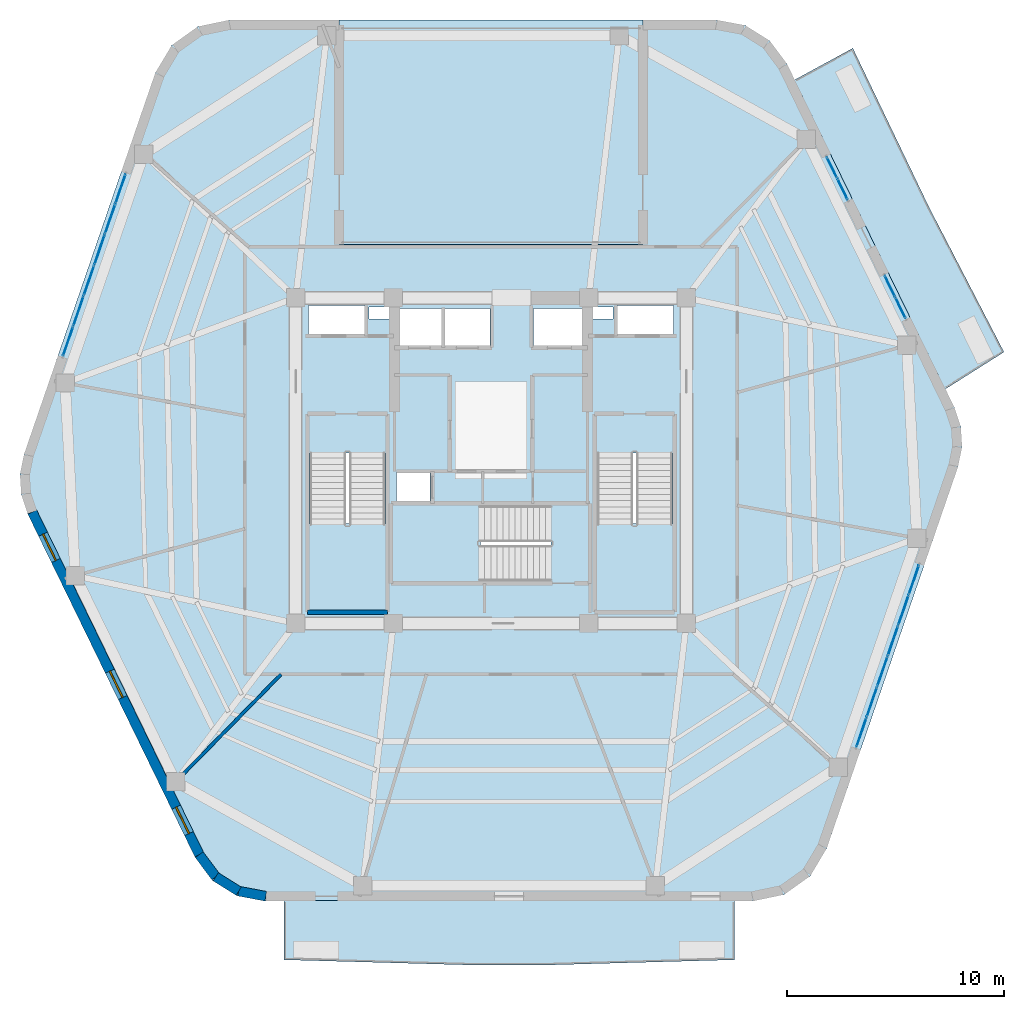
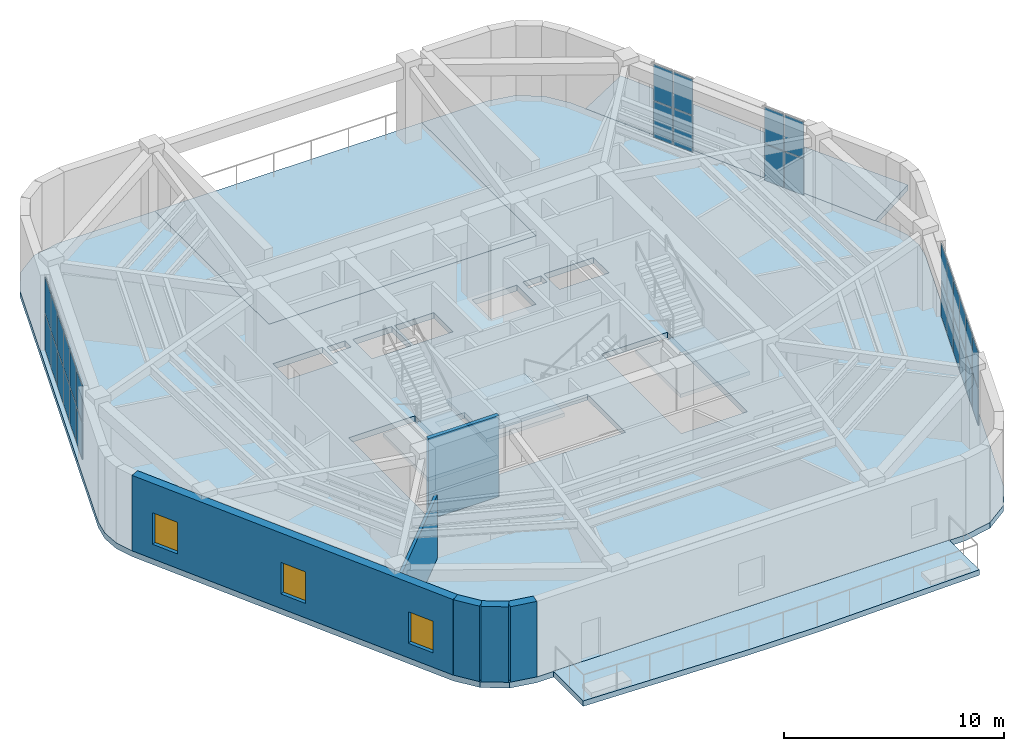
# One storey, part 10 of 15: 32 plates, 7 slabs, 6 walls, 3 windows, 3 openings, 7 elements without a shape of their own.
"""IFC4 building model written with IfcOpenShell, lengths in metres."""

from ifc_helpers import new_model, si_unit, direction, frame, frame_2d, origin, origin_2d, place, context, subcontext, project, spatial, polyline, rectangle, outline, extrude, material, layer, layer_set, type_object, element, fill, aggregate, save


model = new_model("IFC4")

# Units and contexts
model_context = context("Model", 3, precision=1e-05, world=origin(), true_north=direction((0.0, 1.0)))
body_context = subcontext(model_context, "Body", "Model", "MODEL_VIEW")
ifc_project = project(units=[si_unit("LENGTHUNIT", "METRE"), si_unit("AREAUNIT", "SQUARE_METRE"), si_unit("VOLUMEUNIT", "CUBIC_METRE"), si_unit("PLANEANGLEUNIT", "RADIAN"), si_unit("MASSUNIT", "GRAM", prefix="KILO")], contexts=[model_context])

# Site, building, storey
site_placement = place(None, origin())
site = spatial("IfcSite", under=ifc_project, at=site_placement, CompositionType="ELEMENT")
building_placement = place(site_placement, origin())
building = spatial("IfcBuilding", under=site, at=building_placement, Name="Kilnhurst Terrace Hotel", CompositionType="ELEMENT")
storey_placement = place(building_placement, frame((0.0, 0.0, 288.60009765625)))
storey = spatial("IfcBuildingStorey", under=building, at=storey_placement, Name="L72", CompositionType="ELEMENT", Elevation=288.60009765625)

# Curtain wall, plates
ifc_material_1 = material(Name="Anodized Aluminium Alloy 6063-T6 and Low-E Glass", Category="aluminium")
ifc_layer_1 = layer(ifc_material_1, 0.219970703125, Name="Anodized Aluminium Alloy 6063-T6 and Low-E Glass")
ifc_layer_set_1 = layer_set([ifc_layer_1], Name="Anodized Aluminium Alloy 6063-T6 and Low-E Glass")
curtain_wall_type = type_object("IfcCurtainWallType", Name="CW-PORTAL-L72", PredefinedType="NOTDEFINED", material=ifc_layer_set_1)
curtain_wall_1_placement = place(storey_placement, origin())
curtain_wall_1 = element("IfcCurtainWall", 1, at=curtain_wall_1_placement, inside=storey, type_object=curtain_wall_type, Name="L72 Curtain Wall CW-L72-F2-1", PredefinedType="NOTDEFINED")
ifc_material_2 = material(Name="Triple Laminated Low-E Hurricane Insulated Glass", Category="glass")
ifc_layer_2 = layer(ifc_material_2, 0.0380859375, Name="Triple Laminated Low-E Hurricane Insulated Glass")
ifc_layer_set_2 = layer_set([ifc_layer_2], Name="Triple Laminated Low-E Hurricane Insulated Glass")
plate_type = type_object("IfcPlateType", Name="PNL-GLZ-38", PredefinedType="CURTAIN_PANEL", material=ifc_layer_set_2)
plate_1_placement = place(storey_placement, frame((17.06884765625, -12.521240234375, 0.06494140625), z_axis=(0.0, 0.0, 1.0), x_axis=(0.325396556387, 0.945577644137, 0.0)))
plate_1 = element("IfcPlate", 2, at=plate_1_placement, type_object=plate_type, Name="CWP-5 panel 1.1", PredefinedType="CURTAIN_PANEL", context=body_context, shape_type="SweptSolid", body=[
    extrude(rectangle(XDim=1.394775390625, YDim=0.0380859375, at=origin_2d()), origin(), (0.0, 0.0, 1.0), 1.992431640625),
])
plate_2_placement = place(storey_placement, frame((17.06884765625, -12.521240234375, 2.12255859375), z_axis=(0.0, 0.0, 1.0), x_axis=(0.325396556387, 0.945577644137, 0.0)))
plate_2 = element("IfcPlate", 3, at=plate_2_placement, type_object=plate_type, Name="CWP-5 panel 1.2", PredefinedType="CURTAIN_PANEL", context=body_context, shape_type="SweptSolid", body=[
    extrude(rectangle(XDim=1.394775390625, YDim=0.0380859375, at=origin_2d()), origin(), (0.0, 0.0, 1.0), 1.992431640625),
])
plate_3_placement = place(storey_placement, frame((17.54931640625, -11.12548828125, 0.06494140625), z_axis=(0.0, 0.0, 1.0), x_axis=(0.325396556387, 0.945577644137, 0.0)))
plate_3 = element("IfcPlate", 4, at=plate_3_placement, type_object=plate_type, Name="CWP-5 panel 2.1", PredefinedType="CURTAIN_PANEL", context=body_context, shape_type="SweptSolid", body=[
    extrude(rectangle(XDim=1.42724609375, YDim=0.0380859375, at=origin_2d()), origin(), (0.0, 0.0, 1.0), 1.992431640625),
])
plate_4_placement = place(storey_placement, frame((17.54931640625, -11.12548828125, 2.12255859375), z_axis=(0.0, 0.0, 1.0), x_axis=(0.325396556387, 0.945577644137, 0.0)))
plate_4 = element("IfcPlate", 5, at=plate_4_placement, type_object=plate_type, Name="CWP-5 panel 2.2", PredefinedType="CURTAIN_PANEL", context=body_context, shape_type="SweptSolid", body=[
    extrude(rectangle(XDim=1.42724609375, YDim=0.0380859375, at=origin_2d()), origin(), (0.0, 0.0, 1.0), 1.992431640625),
])
plate_5_placement = place(storey_placement, frame((18.034912109375, -9.71435546875, 0.06494140625), z_axis=(0.0, 0.0, 1.0), x_axis=(0.325396556387, 0.945577644137, 0.0)))
plate_5 = element("IfcPlate", 6, at=plate_5_placement, type_object=plate_type, Name="CWP-5 panel 3.1", PredefinedType="CURTAIN_PANEL", context=body_context, shape_type="SweptSolid", body=[
    extrude(rectangle(XDim=1.42724609375, YDim=0.0380859375, at=origin_2d()), origin(), (0.0, 0.0, 1.0), 1.992431640625),
])
plate_6_placement = place(storey_placement, frame((18.034912109375, -9.71435546875, 2.12255859375), z_axis=(0.0, 0.0, 1.0), x_axis=(0.325396556387, 0.945577644137, 0.0)))
plate_6 = element("IfcPlate", 7, at=plate_6_placement, type_object=plate_type, Name="CWP-5 panel 3.2", PredefinedType="CURTAIN_PANEL", context=body_context, shape_type="SweptSolid", body=[
    extrude(rectangle(XDim=1.42724609375, YDim=0.0380859375, at=origin_2d()), origin(), (0.0, 0.0, 1.0), 1.992431640625),
])
plate_7_placement = place(storey_placement, frame((18.5205078125, -8.30322265625, 0.06494140625), z_axis=(0.0, 0.0, 1.0), x_axis=(0.325396556387, 0.945577644137, 0.0)))
plate_7 = element("IfcPlate", 8, at=plate_7_placement, type_object=plate_type, Name="CWP-5 panel 4.1", PredefinedType="CURTAIN_PANEL", context=body_context, shape_type="SweptSolid", body=[
    extrude(rectangle(XDim=1.42724609375, YDim=0.0380859375, at=origin_2d()), origin(), (0.0, 0.0, 1.0), 1.992431640625),
])
plate_8_placement = place(storey_placement, frame((18.5205078125, -8.30322265625, 2.12255859375), z_axis=(0.0, 0.0, 1.0), x_axis=(0.325396556387, 0.945577644137, 0.0)))
plate_8 = element("IfcPlate", 9, at=plate_8_placement, type_object=plate_type, Name="CWP-5 panel 4.2", PredefinedType="CURTAIN_PANEL", context=body_context, shape_type="SweptSolid", body=[
    extrude(rectangle(XDim=1.42724609375, YDim=0.0380859375, at=origin_2d()), origin(), (0.0, 0.0, 1.0), 1.992431640625),
])
plate_9_placement = place(storey_placement, frame((19.006103515625, -6.89208984375, 0.06494140625), z_axis=(0.0, 0.0, 1.0), x_axis=(0.325396556387, 0.945577644137, 0.0)))
plate_9 = element("IfcPlate", 10, at=plate_9_placement, type_object=plate_type, Name="CWP-5 panel 5.1", PredefinedType="CURTAIN_PANEL", context=body_context, shape_type="SweptSolid", body=[
    extrude(rectangle(XDim=1.42724609375, YDim=0.0380859375, at=origin_2d()), origin(), (0.0, 0.0, 1.0), 1.992431640625),
])
plate_10_placement = place(storey_placement, frame((19.006103515625, -6.89208984375, 2.12255859375), z_axis=(0.0, 0.0, 1.0), x_axis=(0.325396556387, 0.945577644137, 0.0)))
plate_10 = element("IfcPlate", 11, at=plate_10_placement, type_object=plate_type, Name="CWP-5 panel 5.2", PredefinedType="CURTAIN_PANEL", context=body_context, shape_type="SweptSolid", body=[
    extrude(rectangle(XDim=1.42724609375, YDim=0.0380859375, at=origin_2d()), origin(), (0.0, 0.0, 1.0), 1.992431640625),
])
plate_11_placement = place(storey_placement, frame((19.486328125, -5.496337890625, 0.06494140625), z_axis=(0.0, 0.0, 1.0), x_axis=(0.325396556387, 0.945577644137, 0.0)))
plate_11 = element("IfcPlate", 12, at=plate_11_placement, type_object=plate_type, Name="CWP-5 panel 6.1", PredefinedType="CURTAIN_PANEL", context=body_context, shape_type="SweptSolid", body=[
    extrude(rectangle(XDim=1.394775390625, YDim=0.0380859375, at=origin_2d()), origin(), (0.0, 0.0, 1.0), 1.992431640625),
])
plate_12_placement = place(storey_placement, frame((19.486328125, -5.496337890625, 2.12255859375), z_axis=(0.0, 0.0, 1.0), x_axis=(0.325396556387, 0.945577644137, 0.0)))
plate_12 = element("IfcPlate", 13, at=plate_12_placement, type_object=plate_type, Name="CWP-5 panel 6.2", PredefinedType="CURTAIN_PANEL", context=body_context, shape_type="SweptSolid", body=[
    extrude(rectangle(XDim=1.394775390625, YDim=0.0380859375, at=origin_2d()), origin(), (0.0, 0.0, 1.0), 1.992431640625),
])
aggregate(curtain_wall_1, [plate_1, plate_2, plate_3, plate_4, plate_5, plate_6, plate_7, plate_8, plate_9, plate_10, plate_11, plate_12])

curtain_wall_2_placement = place(storey_placement, origin())
curtain_wall_2 = element("IfcCurtainWall", 14, at=curtain_wall_2_placement, inside=storey, type_object=curtain_wall_type, Name="L72 Curtain Wall CW-L72-F3-1", PredefinedType="NOTDEFINED")
plate_13_placement = place(storey_placement, frame((18.864013671875, 7.037353515625, 0.06494140625), z_axis=(0.0, 0.0, 1.0), x_axis=(-0.438120294595, 0.898916351762, 0.0)))
plate_13 = element("IfcPlate", 15, at=plate_13_placement, type_object=plate_type, Name="CWP-5 panel 1.1", PredefinedType="CURTAIN_PANEL", context=body_context, shape_type="SweptSolid", body=[
    extrude(rectangle(XDim=1.04248046875, YDim=0.0380859375, at=origin_2d()), origin(), (0.0, 0.0, 1.0), 1.992431640625),
])
plate_14_placement = place(storey_placement, frame((18.864013671875, 7.037353515625, 2.12255859375), z_axis=(0.0, 0.0, 1.0), x_axis=(-0.438120294595, 0.898916351762, 0.0)))
plate_14 = element("IfcPlate", 16, at=plate_14_placement, type_object=plate_type, Name="CWP-5 panel 1.2", PredefinedType="CURTAIN_PANEL", context=body_context, shape_type="SweptSolid", body=[
    extrude(rectangle(XDim=1.04248046875, YDim=0.0380859375, at=origin_2d()), origin(), (0.0, 0.0, 1.0), 1.992431640625),
])
plate_15_placement = place(storey_placement, frame((18.378662109375, 8.03271484375, 0.06494140625), z_axis=(0.0, 0.0, 1.0), x_axis=(-0.438120294595, 0.898916351762, 0.0)))
plate_15 = element("IfcPlate", 17, at=plate_15_placement, type_object=plate_type, Name="CWP-5 panel 2.1", PredefinedType="CURTAIN_PANEL", context=body_context, shape_type="SweptSolid", body=[
    extrude(rectangle(XDim=1.04248046875, YDim=0.0380859375, at=origin_2d()), origin(), (0.0, 0.0, 1.0), 1.992431640625),
])
plate_16_placement = place(storey_placement, frame((18.378662109375, 8.03271484375, 2.12255859375), z_axis=(0.0, 0.0, 1.0), x_axis=(-0.438120294595, 0.898916351762, 0.0)))
plate_16 = element("IfcPlate", 18, at=plate_16_placement, type_object=plate_type, Name="CWP-5 panel 2.2", PredefinedType="CURTAIN_PANEL", context=body_context, shape_type="SweptSolid", body=[
    extrude(rectangle(XDim=1.04248046875, YDim=0.0380859375, at=origin_2d()), origin(), (0.0, 0.0, 1.0), 1.992431640625),
])
aggregate(curtain_wall_2, [plate_13, plate_14, plate_15, plate_16])

curtain_wall_3_placement = place(storey_placement, origin())
curtain_wall_3 = element("IfcCurtainWall", 19, at=curtain_wall_3_placement, inside=storey, type_object=curtain_wall_type, Name="L72 Curtain Wall CW-L72-F3-2", PredefinedType="NOTDEFINED")
plate_17_placement = place(storey_placement, frame((16.199951171875, 12.5029296875, 0.06494140625), z_axis=(0.0, 0.0, 1.0), x_axis=(-0.43814202846, 0.898905758629, 0.0)))
plate_17 = element("IfcPlate", 20, at=plate_17_placement, type_object=plate_type, Name="CWP-5 panel 1.1", PredefinedType="CURTAIN_PANEL", context=body_context, shape_type="SweptSolid", body=[
    extrude(rectangle(XDim=1.04296875, YDim=0.0380859375, at=origin_2d()), origin(), (0.0, 0.0, 1.0), 1.992431640625),
])
plate_18_placement = place(storey_placement, frame((16.199951171875, 12.5029296875, 2.12255859375), z_axis=(0.0, 0.0, 1.0), x_axis=(-0.43814202846, 0.898905758629, 0.0)))
plate_18 = element("IfcPlate", 21, at=plate_18_placement, type_object=plate_type, Name="CWP-5 panel 1.2", PredefinedType="CURTAIN_PANEL", context=body_context, shape_type="SweptSolid", body=[
    extrude(rectangle(XDim=1.04296875, YDim=0.0380859375, at=origin_2d()), origin(), (0.0, 0.0, 1.0), 1.992431640625),
])
plate_19_placement = place(storey_placement, frame((15.714599609375, 13.498779296875, 0.06494140625), z_axis=(0.0, 0.0, 1.0), x_axis=(-0.43814202846, 0.898905758629, 0.0)))
plate_19 = element("IfcPlate", 22, at=plate_19_placement, type_object=plate_type, Name="CWP-5 panel 2.1", PredefinedType="CURTAIN_PANEL", context=body_context, shape_type="SweptSolid", body=[
    extrude(rectangle(XDim=1.04296875, YDim=0.0380859375, at=origin_2d()), origin(), (0.0, 0.0, 1.0), 1.992431640625),
])
plate_20_placement = place(storey_placement, frame((15.714599609375, 13.498779296875, 2.12255859375), z_axis=(0.0, 0.0, 1.0), x_axis=(-0.43814202846, 0.898905758629, 0.0)))
plate_20 = element("IfcPlate", 23, at=plate_20_placement, type_object=plate_type, Name="CWP-5 panel 2.2", PredefinedType="CURTAIN_PANEL", context=body_context, shape_type="SweptSolid", body=[
    extrude(rectangle(XDim=1.04296875, YDim=0.0380859375, at=origin_2d()), origin(), (0.0, 0.0, 1.0), 1.992431640625),
])
aggregate(curtain_wall_3, [plate_17, plate_18, plate_19, plate_20])

curtain_wall_4_placement = place(storey_placement, origin())
curtain_wall_4 = element("IfcCurtainWall", 24, at=curtain_wall_4_placement, inside=storey, type_object=curtain_wall_type, Name="L72 Curtain Wall CW-L72-F5-1", PredefinedType="NOTDEFINED")
plate_21_placement = place(storey_placement, frame((-17.06884765625, 12.521240234375, 0.06494140625), z_axis=(0.0, 0.0, 1.0), x_axis=(-0.325396556387, -0.945577644137, 0.0)))
plate_21 = element("IfcPlate", 25, at=plate_21_placement, type_object=plate_type, Name="CWP-5 panel 1.1", PredefinedType="CURTAIN_PANEL", context=body_context, shape_type="SweptSolid", body=[
    extrude(rectangle(XDim=1.394775390625, YDim=0.0380859375, at=origin_2d()), origin(), (0.0, 0.0, 1.0), 1.992431640625),
])
plate_22_placement = place(storey_placement, frame((-17.06884765625, 12.521240234375, 2.12255859375), z_axis=(0.0, 0.0, 1.0), x_axis=(-0.325396556387, -0.945577644137, 0.0)))
plate_22 = element("IfcPlate", 26, at=plate_22_placement, type_object=plate_type, Name="CWP-5 panel 1.2", PredefinedType="CURTAIN_PANEL", context=body_context, shape_type="SweptSolid", body=[
    extrude(rectangle(XDim=1.394775390625, YDim=0.0380859375, at=origin_2d()), origin(), (0.0, 0.0, 1.0), 1.992431640625),
])
plate_23_placement = place(storey_placement, frame((-17.54931640625, 11.12548828125, 0.06494140625), z_axis=(0.0, 0.0, 1.0), x_axis=(-0.325396556387, -0.945577644137, 0.0)))
plate_23 = element("IfcPlate", 27, at=plate_23_placement, type_object=plate_type, Name="CWP-5 panel 2.1", PredefinedType="CURTAIN_PANEL", context=body_context, shape_type="SweptSolid", body=[
    extrude(rectangle(XDim=1.42724609375, YDim=0.0380859375, at=origin_2d()), origin(), (0.0, 0.0, 1.0), 1.992431640625),
])
plate_24_placement = place(storey_placement, frame((-17.54931640625, 11.12548828125, 2.12255859375), z_axis=(0.0, 0.0, 1.0), x_axis=(-0.325396556387, -0.945577644137, 0.0)))
plate_24 = element("IfcPlate", 28, at=plate_24_placement, type_object=plate_type, Name="CWP-5 panel 2.2", PredefinedType="CURTAIN_PANEL", context=body_context, shape_type="SweptSolid", body=[
    extrude(rectangle(XDim=1.42724609375, YDim=0.0380859375, at=origin_2d()), origin(), (0.0, 0.0, 1.0), 1.992431640625),
])
plate_25_placement = place(storey_placement, frame((-18.034912109375, 9.71435546875, 0.06494140625), z_axis=(0.0, 0.0, 1.0), x_axis=(-0.325396556387, -0.945577644137, 0.0)))
plate_25 = element("IfcPlate", 29, at=plate_25_placement, type_object=plate_type, Name="CWP-5 panel 3.1", PredefinedType="CURTAIN_PANEL", context=body_context, shape_type="SweptSolid", body=[
    extrude(rectangle(XDim=1.42724609375, YDim=0.0380859375, at=origin_2d()), origin(), (0.0, 0.0, 1.0), 1.992431640625),
])
plate_26_placement = place(storey_placement, frame((-18.034912109375, 9.71435546875, 2.12255859375), z_axis=(0.0, 0.0, 1.0), x_axis=(-0.325396556387, -0.945577644137, 0.0)))
plate_26 = element("IfcPlate", 30, at=plate_26_placement, type_object=plate_type, Name="CWP-5 panel 3.2", PredefinedType="CURTAIN_PANEL", context=body_context, shape_type="SweptSolid", body=[
    extrude(rectangle(XDim=1.42724609375, YDim=0.0380859375, at=origin_2d()), origin(), (0.0, 0.0, 1.0), 1.992431640625),
])
plate_27_placement = place(storey_placement, frame((-18.5205078125, 8.30322265625, 0.06494140625), z_axis=(0.0, 0.0, 1.0), x_axis=(-0.325396556387, -0.945577644137, 0.0)))
plate_27 = element("IfcPlate", 31, at=plate_27_placement, type_object=plate_type, Name="CWP-5 panel 4.1", PredefinedType="CURTAIN_PANEL", context=body_context, shape_type="SweptSolid", body=[
    extrude(rectangle(XDim=1.42724609375, YDim=0.0380859375, at=origin_2d()), origin(), (0.0, 0.0, 1.0), 1.992431640625),
])
plate_28_placement = place(storey_placement, frame((-18.5205078125, 8.30322265625, 2.12255859375), z_axis=(0.0, 0.0, 1.0), x_axis=(-0.325396556387, -0.945577644137, 0.0)))
plate_28 = element("IfcPlate", 32, at=plate_28_placement, type_object=plate_type, Name="CWP-5 panel 4.2", PredefinedType="CURTAIN_PANEL", context=body_context, shape_type="SweptSolid", body=[
    extrude(rectangle(XDim=1.42724609375, YDim=0.0380859375, at=origin_2d()), origin(), (0.0, 0.0, 1.0), 1.992431640625),
])
plate_29_placement = place(storey_placement, frame((-19.006103515625, 6.89208984375, 0.06494140625), z_axis=(0.0, 0.0, 1.0), x_axis=(-0.325396556387, -0.945577644137, 0.0)))
plate_29 = element("IfcPlate", 33, at=plate_29_placement, type_object=plate_type, Name="CWP-5 panel 5.1", PredefinedType="CURTAIN_PANEL", context=body_context, shape_type="SweptSolid", body=[
    extrude(rectangle(XDim=1.42724609375, YDim=0.0380859375, at=origin_2d()), origin(), (0.0, 0.0, 1.0), 1.992431640625),
])
plate_30_placement = place(storey_placement, frame((-19.006103515625, 6.89208984375, 2.12255859375), z_axis=(0.0, 0.0, 1.0), x_axis=(-0.325396556387, -0.945577644137, 0.0)))
plate_30 = element("IfcPlate", 34, at=plate_30_placement, type_object=plate_type, Name="CWP-5 panel 5.2", PredefinedType="CURTAIN_PANEL", context=body_context, shape_type="SweptSolid", body=[
    extrude(rectangle(XDim=1.42724609375, YDim=0.0380859375, at=origin_2d()), origin(), (0.0, 0.0, 1.0), 1.992431640625),
])
plate_31_placement = place(storey_placement, frame((-19.486328125, 5.496337890625, 0.06494140625), z_axis=(0.0, 0.0, 1.0), x_axis=(-0.325396556387, -0.945577644137, 0.0)))
plate_31 = element("IfcPlate", 35, at=plate_31_placement, type_object=plate_type, Name="CWP-5 panel 6.1", PredefinedType="CURTAIN_PANEL", context=body_context, shape_type="SweptSolid", body=[
    extrude(rectangle(XDim=1.394775390625, YDim=0.0380859375, at=origin_2d()), origin(), (0.0, 0.0, 1.0), 1.992431640625),
])
plate_32_placement = place(storey_placement, frame((-19.486328125, 5.496337890625, 2.12255859375), z_axis=(0.0, 0.0, 1.0), x_axis=(-0.325396556387, -0.945577644137, 0.0)))
plate_32 = element("IfcPlate", 36, at=plate_32_placement, type_object=plate_type, Name="CWP-5 panel 6.2", PredefinedType="CURTAIN_PANEL", context=body_context, shape_type="SweptSolid", body=[
    extrude(rectangle(XDim=1.394775390625, YDim=0.0380859375, at=origin_2d()), origin(), (0.0, 0.0, 1.0), 1.992431640625),
])
aggregate(curtain_wall_4, [plate_21, plate_22, plate_23, plate_24, plate_25, plate_26, plate_27, plate_28, plate_29, plate_30, plate_31, plate_32])

# Slabs
ifc_material_3 = material(Name="Concrete C50/60", Category="concrete")
ifc_layer_3 = layer(ifc_material_3, 0.300048828125, Name="Concrete C50/60")
ifc_layer_set_3 = layer_set([ifc_layer_3], Name="Concrete C50/60")
slab_type_1 = type_object("IfcSlabType", Name="SLB-BAL-300", PredefinedType="FLOOR", material=ifc_layer_set_3)
slab_1_placement = place(storey_placement, frame((0.0, 0.0, -0.300048828125)))
element("IfcSlab", 37, at=slab_1_placement, inside=storey, type_object=slab_type_1, Name="L72 Cantilevered Planted Terrace Slab BAL-L1A", PredefinedType="FLOOR", context=body_context, shape_type="SweptSolid", body=[
    extrude(outline(polyline([(2.62060546875, -23.239990234375), (-0.958984375, -23.239990234375), (-9.5498046875, -23.0), (-9.5498046875, -20.280029296875), (11.211669921875, -20.280029296875), (11.211669921875, -23.0), (2.62060546875, -23.239990234375)])), origin(), (0.0, 0.0, 1.0), 0.300048828125),
])
slab_2_placement = place(storey_placement, frame((0.0, 0.0, -0.300048828125)))
element("IfcSlab", 38, at=slab_2_placement, inside=storey, type_object=slab_type_1, Name="L72 Cantilevered Planted Terrace Slab BAL-L2A", PredefinedType="FLOOR", context=body_context, shape_type="SweptSolid", body=[
    extrude(outline(polyline([(23.635498046875, 5.0), (20.920166015625, 3.28662109375), (13.9755859375, 17.534912109375), (16.669189453125, 19.0), (20.17919921875, 11.6767578125), (23.635498046875, 5.0)])), origin(), (0.0, 0.0, 1.0), 0.300048828125),
])
ifc_layer_4 = layer(ifc_material_3, 0.320068359375, Name="Concrete C50/60")
ifc_layer_set_4 = layer_set([ifc_layer_4], Name="Concrete C50/60")
slab_type_2 = type_object("IfcSlabType", Name="SLB-FLR-320", PredefinedType="FLOOR", material=ifc_layer_set_4)
slab_3_placement = place(storey_placement, frame((0.0, 0.0, -0.320068359375)))
element("IfcSlab", 39, at=slab_3_placement, inside=storey, type_object=slab_type_2, Name="L72 Indoor Floor Slab Around Wind Portal", PredefinedType="FLOOR", context=body_context, shape_type="SweptSolid", body=[
    extrude(outline(polyline([(10.39990234375, 20.300048828125), (11.709716796875, 20.05322265625), (12.840087890625, 19.3466796875), (13.635986328125, 18.27734375), (21.34716796875, 2.4560546875), (21.64501953125, 1.565185546875), (21.7021484375, 0.627685546875), (21.51513671875, -0.29248046875), (15.4658203125, -17.871337890625), (14.708984375, -19.139404296875), (13.5068359375, -19.9970703125), (12.061767578125, -20.300048828125), (-10.39990234375, -20.300048828125), (-11.709716796875, -20.05322265625), (-12.840087890625, -19.3466796875), (-13.635986328125, -18.27734375), (-21.34716796875, -2.4560546875), (-21.64501953125, -1.565185546875), (-21.7021484375, -0.627685546875), (-21.51513671875, 0.29248046875), (-15.4658203125, 17.871337890625), (-14.708984375, 19.139404296875), (-13.5068359375, 19.9970703125), (-12.061767578125, 20.300048828125), (-7.0, 20.300048828125), (-7.0, 9.949951171875), (7.0, 9.949951171875), (7.0, 20.300048828125), (10.39990234375, 20.300048828125)]), holes=[polyline([(-4.8798828125, 0.35498046875), (-4.8798828125, -6.89990234375), (-8.35009765625, -6.89990234375), (-8.35009765625, 0.35498046875), (-4.8798828125, 0.35498046875)]), polyline([(-4.35009765625, -1.89990234375), (-4.35009765625, -0.550048828125), (-2.800048828125, -0.550048828125), (-2.800048828125, -1.89990234375), (-4.35009765625, -1.89990234375)]), polyline([(-4.300048828125, 5.25), (-4.300048828125, 7.0), (-2.25, 7.0), (-2.25, 5.25), (-4.300048828125, 5.25)]), polyline([(-2.1201171875, 7.0), (-0.050048828125, 7.0), (-0.050048828125, 5.25), (-2.1201171875, 5.25), (-2.1201171875, 7.0)]), polyline([(-8.39990234375, 7.14990234375), (-5.800048828125, 7.14990234375), (-5.800048828125, 5.75), (-8.39990234375, 5.75), (-8.39990234375, 7.14990234375)]), polyline([(-5.6201171875, 6.52001953125), (-5.6201171875, 7.080078125), (-4.659912109375, 7.080078125), (-4.659912109375, 6.52001953125), (-5.6201171875, 6.52001953125)]), polyline([(-4.5, -5.550048828125), (-4.5, -2.080078125), (2.7548828125, -2.080078125), (2.7548828125, -5.550048828125), (-4.5, -5.550048828125)]), polyline([(8.35009765625, -6.89990234375), (4.8798828125, -6.89990234375), (4.8798828125, 0.35498046875), (8.35009765625, 0.35498046875), (8.35009765625, -6.89990234375)]), polyline([(1.949951171875, 5.25), (1.949951171875, 7.0), (4.300048828125, 7.0), (4.300048828125, 5.25), (1.949951171875, 5.25)]), polyline([(5.800048828125, 7.14990234375), (8.39990234375, 7.14990234375), (8.39990234375, 5.75), (5.800048828125, 5.75), (5.800048828125, 7.14990234375)]), polyline([(4.659912109375, 7.080078125), (5.6201171875, 7.080078125), (5.6201171875, 6.52001953125), (4.659912109375, 6.52001953125), (4.659912109375, 7.080078125)])]), origin(), (0.0, 0.0, 1.0), 0.320068359375),
])

# Stair, slab
stair_type = type_object("IfcStairType", Name="STR-CORE-1660", PredefinedType="HALF_TURN_STAIR", material=ifc_material_3)
stair_1_placement = place(storey_placement, origin())
stair_1 = element("IfcStair", 40, at=stair_1_placement, inside=storey, type_object=stair_type, Name="L72 ST-1", PredefinedType="HALF_TURN_STAIR")
ifc_layer_5 = layer(ifc_material_3, 0.199951171875, Name="Concrete C50/60")
ifc_layer_set_5 = layer_set([ifc_layer_5], Name="Concrete C50/60")
slab_type_3 = type_object("IfcSlabType", Name="SLB-ST-LND-200", PredefinedType="LANDING", material=ifc_layer_set_5)
slab_4_placement = place(storey_placement, frame((0.0, 0.0, 2.0498046875)))
slab_4 = element("IfcSlab", 41, at=slab_4_placement, type_object=slab_type_3, Name="ST-1 landing 1", PredefinedType="LANDING", context=body_context, shape_type="SweptSolid", body=[
    extrude(outline(polyline([(-8.429931640625, -2.889892578125), (-4.800048828125, -2.889892578125), (-4.800048828125, -6.97998046875), (-8.429931640625, -6.97998046875), (-8.429931640625, -2.889892578125)])), origin(), (0.0, 0.0, 1.0), 0.2001953125),
])
aggregate(stair_1, [slab_4])

stair_2_placement = place(storey_placement, origin())
stair_2 = element("IfcStair", 42, at=stair_2_placement, inside=storey, type_object=stair_type, Name="L72 ST-2", PredefinedType="HALF_TURN_STAIR")
slab_5_placement = place(storey_placement, frame((0.0, 0.0, 2.0498046875)))
slab_5 = element("IfcSlab", 43, at=slab_5_placement, type_object=slab_type_3, Name="ST-2 landing 1", PredefinedType="LANDING", context=body_context, shape_type="SweptSolid", body=[
    extrude(outline(polyline([(4.800048828125, -2.889892578125), (8.429931640625, -2.889892578125), (8.429931640625, -6.97998046875), (4.800048828125, -6.97998046875), (4.800048828125, -2.889892578125)])), origin(), (0.0, 0.0, 1.0), 0.2001953125),
])
aggregate(stair_2, [slab_5])

stair_3_placement = place(storey_placement, origin())
stair_3 = element("IfcStair", 44, at=stair_3_placement, inside=storey, type_object=stair_type, Name="L72 ST-3", PredefinedType="HALF_TURN_STAIR")
slab_6_placement = place(storey_placement, frame((0.0, 0.0, 2.0498046875)))
slab_6 = element("IfcSlab", 45, at=slab_6_placement, type_object=slab_type_3, Name="ST-3 landing 1", PredefinedType="LANDING", context=body_context, shape_type="SweptSolid", body=[
    extrude(outline(polyline([(-0.489990234375, -2.0), (-0.489990234375, -5.6298828125), (-4.580078125, -5.6298828125), (-4.580078125, -2.0), (-0.489990234375, -2.0)])), origin(), (0.0, 0.0, 1.0), 0.2001953125),
])
aggregate(stair_3, [slab_6])

# Slab
ifc_layer_6 = layer(ifc_material_3, 0.320068359375, Name="Concrete C50/60")
ifc_layer_set_6 = layer_set([ifc_layer_6], Name="Concrete C50/60")
slab_type_4 = type_object("IfcSlabType", Name="SLB-TERR-320", PredefinedType="FLOOR", material=ifc_layer_set_6)
slab_7_placement = place(storey_placement, frame((0.0, 0.0, -0.320068359375)))
element("IfcSlab", 46, at=slab_7_placement, inside=storey, type_object=slab_type_4, Name="L72 Open Aerodynamic Wind Portal Promenade Deck", PredefinedType="FLOOR", context=body_context, shape_type="SweptSolid", body=[
    extrude(outline(polyline([(7.0, 20.300048828125), (7.0, 9.949951171875), (-7.0, 9.949951171875), (-7.0, 20.300048828125), (7.0, 20.300048828125)])), origin(), (0.0, 0.0, 1.0), 0.320068359375),
])

# Walls
ifc_material_4 = material(Name="Precast concrete C40/50", Category="concrete")
ifc_layer_7 = layer(ifc_material_4, 0.449951171875, Name="Precast concrete C40/50")
ifc_layer_set_7 = layer_set([ifc_layer_7], Name="Precast concrete C40/50")
wall_type_1 = type_object("IfcWallType", Name="WL-BRK-450", PredefinedType="SOLIDWALL", material=ifc_layer_set_7)
wall_1_placement = place(storey_placement, frame((-13.44287109375, -18.159912109375, 0.0), z_axis=(0.0, 0.0, 1.0), x_axis=(0.597042425808, -0.802209661987, 0.0)))
element("IfcWall", 47, at=wall_1_placement, inside=storey, type_object=wall_type_1, Name="L72 Rounded Corner Brick Wall C1.1", PredefinedType="SOLIDWALL", context=body_context, shape_type="SweptSolid", body=[
    extrude(rectangle(XDim=1.269775390625, YDim=0.449951171875, at=frame_2d((0.634765625, 0.0))), origin(), (0.0, 0.0, 1.0), 4.179931640625),
])
wall_2_placement = place(storey_placement, frame((-12.684814453125, -19.178466796875, 0.0), z_axis=(0.0, 0.0, 1.0), x_axis=(0.848031272749, -0.529946186362, 0.0)))
element("IfcWall", 48, at=wall_2_placement, inside=storey, type_object=wall_type_1, Name="L72 Rounded Corner Brick Wall C1.2", PredefinedType="SOLIDWALL", context=body_context, shape_type="SweptSolid", body=[
    extrude(rectangle(XDim=1.248046875, YDim=0.449951171875, at=frame_2d((0.6240234375, 0.0))), origin(), (0.0, 0.0, 1.0), 4.179931640625),
])
wall_3_placement = place(storey_placement, frame((-11.62646484375, -19.83984375, 0.0), z_axis=(0.0, 0.0, 1.0), x_axis=(0.982701956681, -0.185194126083, 0.0)))
element("IfcWall", 49, at=wall_3_placement, inside=storey, type_object=wall_type_1, Name="L72 Rounded Corner Brick Wall C1.3", PredefinedType="SOLIDWALL", context=body_context, shape_type="SweptSolid", body=[
    extrude(rectangle(XDim=1.26953125, YDim=0.449951171875, at=frame_2d((0.634765625, 0.0))), origin(), (0.0, 0.0, 1.0), 4.179931640625),
])

# Wall, openings, windows
wall_4_placement = place(storey_placement, frame((-21.138427734375, -2.370849609375, 0.0), z_axis=(0.0, 0.0, 1.0), x_axis=(0.438128124058, -0.89891253574, 0.0)))
wall_4 = element("IfcWall", 50, at=wall_4_placement, inside=storey, type_object=wall_type_1, Name="L72 Exterior Brick Facade Wall F6", PredefinedType="SOLIDWALL", context=body_context, shape_type="SweptSolid", body=[
    extrude(rectangle(XDim=17.564697265625, YDim=0.449951171875, at=frame_2d((8.7822265625, 0.0))), origin(), (0.0, 0.0, 1.0), 4.179931640625),
])
opening_1_placement = place(wall_4_placement, frame((1.133056640625, 0.0, 0.800048828125)))
opening_1 = element("IfcOpeningElement", 51, at=opening_1_placement, cuts=wall_4, Name="Opening W-06", PredefinedType="OPENING", context=body_context, shape_type="SweptSolid", body=[
    extrude(rectangle(XDim=1.35009765625, YDim=1.75, at=frame_2d((0.675048828125, 0.875))), frame((0.0, 0.23486328125, 0.0), z_axis=(0.0, -1.0, 0.0), x_axis=(1.0, 0.0, 0.0)), (0.0, 0.0, 1.0), 0.469970703125),
])
opening_2_placement = place(wall_4_placement, frame((8.157958984375, 0.0, 0.800048828125)))
opening_2 = element("IfcOpeningElement", 52, at=opening_2_placement, cuts=wall_4, Name="Opening W-06", PredefinedType="OPENING", context=body_context, shape_type="SweptSolid", body=[
    extrude(rectangle(XDim=1.35009765625, YDim=1.75, at=frame_2d((0.675048828125, 0.875))), frame((0.0, 0.23486328125, 0.0), z_axis=(0.0, -1.0, 0.0), x_axis=(1.0, 0.0, 0.0)), (0.0, 0.0, 1.0), 0.469970703125),
])
opening_3_placement = place(wall_4_placement, frame((15.132080078125, 0.0, 0.800048828125)))
opening_3 = element("IfcOpeningElement", 53, at=opening_3_placement, cuts=wall_4, Name="Opening W-06", PredefinedType="OPENING", context=body_context, shape_type="SweptSolid", body=[
    extrude(rectangle(XDim=1.35009765625, YDim=1.75, at=frame_2d((0.675048828125, 0.875))), frame((0.0, 0.23486328125, 0.0), z_axis=(0.0, -1.0, 0.0), x_axis=(1.0, 0.0, 0.0)), (0.0, 0.0, 1.0), 0.469970703125),
])
ifc_material_5 = material(Name="Thermally Broken Bronze Aluminium Alloy 6063-T6 and Low-E Glass", Category="aluminium")
window_type = type_object("IfcWindowType", Name="WIN-1350X1750", PartitioningType="SINGLE_PANEL", PredefinedType="WINDOW", material=ifc_material_5)
window_1_placement = place(opening_1_placement, origin())
window_1 = element("IfcWindow", 54, at=window_1_placement, inside=storey, type_object=window_type, Name="L72 Deep-Set Masonry Window F6.1", OverallHeight=1.75, OverallWidth=1.35009765625, PartitioningType="SINGLE_PANEL", PredefinedType="WINDOW", context=body_context, shape_type="SweptSolid", body=[
    extrude(rectangle(XDim=1.35009765625, YDim=1.75, at=frame_2d((0.675048828125, 0.875))), frame((0.0, 0.030029296875, 0.0), z_axis=(0.0, -1.0, 0.0), x_axis=(1.0, 0.0, 0.0)), (0.0, 0.0, 1.0), 0.06005859375),
])
fill(opening_1, window_1)
window_2_placement = place(opening_2_placement, origin())
window_2 = element("IfcWindow", 55, at=window_2_placement, inside=storey, type_object=window_type, Name="L72 Deep-Set Masonry Window F6.2", OverallHeight=1.75, OverallWidth=1.35009765625, PartitioningType="SINGLE_PANEL", PredefinedType="WINDOW", context=body_context, shape_type="SweptSolid", body=[
    extrude(rectangle(XDim=1.35009765625, YDim=1.75, at=frame_2d((0.675048828125, 0.875))), frame((0.0, 0.030029296875, 0.0), z_axis=(0.0, -1.0, 0.0), x_axis=(1.0, 0.0, 0.0)), (0.0, 0.0, 1.0), 0.06005859375),
])
fill(opening_2, window_2)
window_3_placement = place(opening_3_placement, origin())
window_3 = element("IfcWindow", 56, at=window_3_placement, inside=storey, type_object=window_type, Name="L72 Deep-Set Masonry Window F6.3", OverallHeight=1.75, OverallWidth=1.35009765625, PartitioningType="SINGLE_PANEL", PredefinedType="WINDOW", context=body_context, shape_type="SweptSolid", body=[
    extrude(rectangle(XDim=1.35009765625, YDim=1.75, at=frame_2d((0.675048828125, 0.875))), frame((0.0, 0.030029296875, 0.0), z_axis=(0.0, -1.0, 0.0), x_axis=(1.0, 0.0, 0.0)), (0.0, 0.0, 1.0), 0.06005859375),
])
fill(opening_3, window_3)

# Walls
ifc_material_6 = material(Name="150 mm Acoustic Gypsum Hospitality Partition")
ifc_layer_8 = layer(ifc_material_6, 0.14990234375, Name="150 mm Acoustic Gypsum Hospitality Partition")
ifc_layer_set_8 = layer_set([ifc_layer_8], Name="150 mm Acoustic Gypsum Hospitality Partition")
wall_type_2 = type_object("IfcWallType", Name="WL-PART-150", PredefinedType="PARTITIONING", material=ifc_layer_set_8)
wall_5_placement = place(storey_placement, frame((-9.67236328125, -9.85009765625, 0.0), z_axis=(0.0, 0.0, 1.0), x_axis=(-0.700629771301, -0.713524998558, 0.0)))
element("IfcWall", 57, at=wall_5_placement, inside=storey, type_object=wall_type_2, Name="L72 Interior Wall WL-L72-SCOL-08-1", PredefinedType="PARTITIONING", context=body_context, shape_type="SweptSolid", body=[
    extrude(rectangle(XDim=7.45947265625, YDim=0.14990234375, at=frame_2d((3.729736328125, 0.0))), origin(), (0.0, 0.0, 1.0), 3.52001953125),
])
ifc_layer_9 = layer(ifc_material_3, 0.199951171875, Name="Concrete C50/60")
ifc_layer_set_9 = layer_set([ifc_layer_9], Name="Concrete C50/60")
wall_type_3 = type_object("IfcWallType", Name="WL-STAIR-RC-200", PredefinedType="SHEAR", material=ifc_layer_set_9)
wall_6_placement = place(storey_placement, frame((-8.4580078125, -6.985107421875, 0.0), z_axis=(0.0, 0.0, 1.0), x_axis=(1.0, 0.0, 0.0)))
element("IfcWall", 58, at=wall_6_placement, inside=storey, type_object=wall_type_3, Name="L72 Structural Stair Shaft Wall WL-L72-ST1-S", PredefinedType="SHEAR", context=body_context, shape_type="SweptSolid", body=[
    extrude(rectangle(XDim=3.68603515625, YDim=0.199951171875, at=frame_2d((1.843017578125, 0.0))), origin(), (0.0, 0.0, 1.0), 4.5),
])

save(model, "model.ifc")
